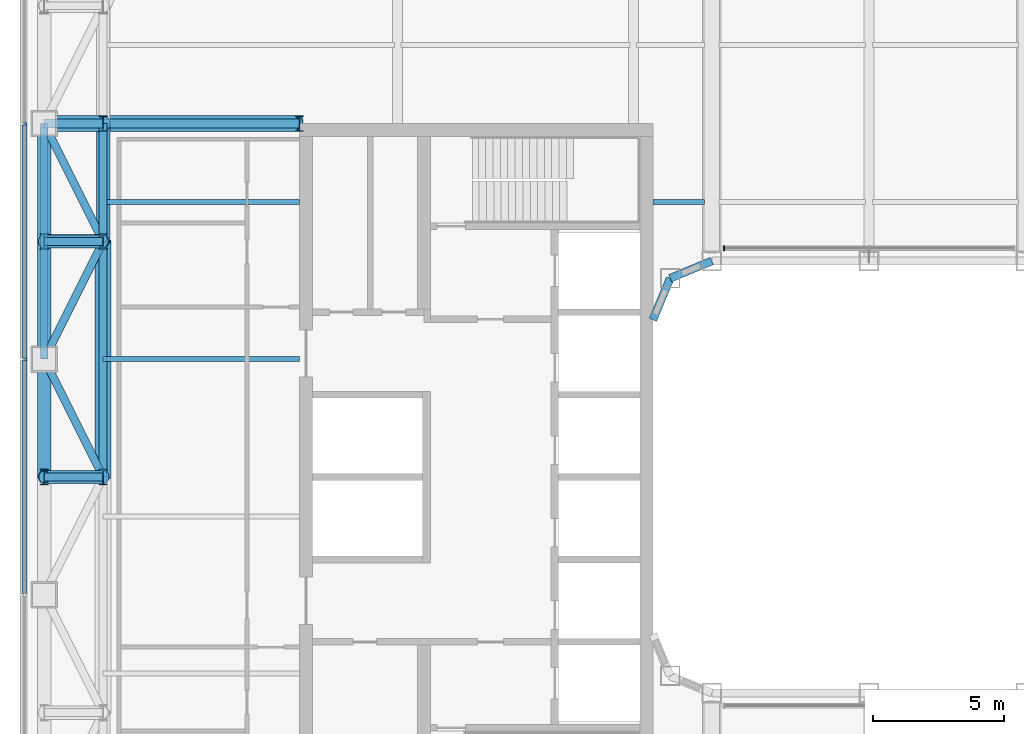
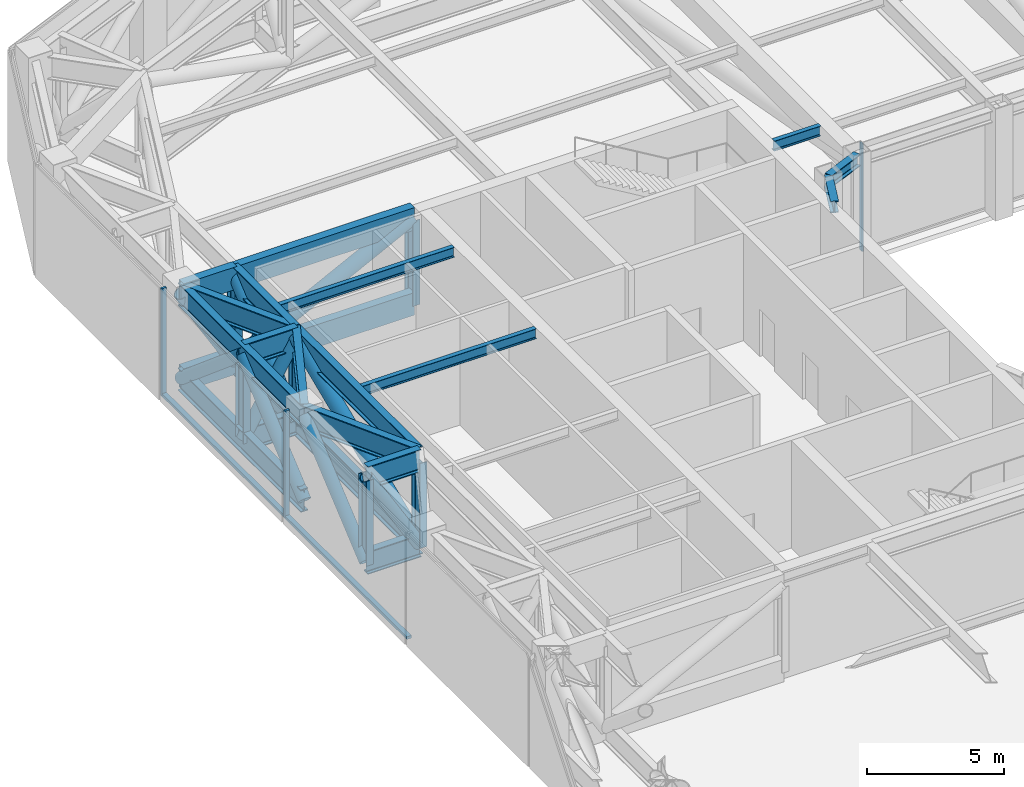
# One storey, part 8 of 33: 22 beams, 20 members, 2 elements without a shape of their own.
"""IFC4 building model written with IfcOpenShell, lengths in metres."""

import ifcopenshell
import ifcopenshell.guid

model = None  # the IFC model being written
_history = None  # IfcOwnerHistory: only IFC2X3 demands one
_inside = {}  # id of a spatial element -> (the spatial element, [elements in it])
_under = {}  # id of a project, library or spatial element -> (it, [spatial elements below it])
_declared = {}  # id of a project -> (the project, [libraries it declares])
_typed = {}  # id of a type object -> (the type object, [elements of that type])
_made_of = {}  # id of a material, layer set ... -> (it, [elements and type objects made of it])


def new_model(schema):
    """Start an empty IFC model of exactly this schema.

    Asked for "IFC4X3", IfcOpenShell would pick the latest addendum, in which some entities
    have other attributes; the version numbers below select the first issue.
    IFC2X3 requires an IfcOwnerHistory on every rooted entity: one is made here for all.
    """
    global model, _history
    if schema == "IFC4X3":
        model = ifcopenshell.file(schema_version=(4, 3, 0, 0))
    else:
        model = ifcopenshell.file(schema=schema)
    _inside.clear()
    _under.clear()
    _declared.clear()
    _typed.clear()
    _made_of.clear()
    _history = None
    if model.schema == "IFC2X3":
        org = make("IfcOrganization", Name="unknown")
        user = make(
            "IfcPersonAndOrganization",
            ThePerson=make("IfcPerson", FamilyName="unknown"),
            TheOrganization=org,
        )
        app = make(
            "IfcApplication",
            ApplicationDeveloper=org,
            Version="unknown",
            ApplicationFullName="unknown",
            ApplicationIdentifier="unknown",
        )
        _history = make(
            "IfcOwnerHistory",
            OwningUser=user,
            OwningApplication=app,
            ChangeAction="ADDED",
            CreationDate=0,
        )
    return model


def make(cls, **values):
    """One entity of the class cls with the attributes given. An attribute that is None is left unset."""
    return model.create_entity(
        cls, **{name: value for name, value in values.items() if value is not None}
    )


def rooted(cls, **values):
    """An entity with a GlobalId (a new one), such as an element, a storey or a relation."""
    return make(cls, GlobalId=ifcopenshell.guid.new(), OwnerHistory=_history, **values)


def si_unit(unit_type, name, prefix=None):
    """IfcSIUnit, for example si_unit("LENGTHUNIT", "METRE", prefix="MILLI")."""
    return make("IfcSIUnit", UnitType=unit_type, Prefix=prefix, Name=name)


def assignment(units):
    """IfcUnitAssignment: the units of a project."""
    return None if units is None else make("IfcUnitAssignment", Units=units)


def point(xyz):
    """IfcCartesianPoint."""
    return None if xyz is None else make("IfcCartesianPoint", Coordinates=xyz)


def direction(xyz):
    """IfcDirection."""
    return None if xyz is None else make("IfcDirection", DirectionRatios=xyz)


def frame(location, z_axis=None, x_axis=None):
    """IfcAxis2Placement3D, a coordinate frame: its origin and axes. An axis left out is left unset."""
    return make(
        "IfcAxis2Placement3D",
        Location=point(location),
        Axis=direction(z_axis),
        RefDirection=direction(x_axis),
    )


def frame_2d(location, x_axis=None):
    """IfcAxis2Placement2D, a coordinate frame in the plane: its origin and x axis."""
    return make(
        "IfcAxis2Placement2D", Location=point(location), RefDirection=direction(x_axis)
    )


def origin():
    """The frame at (0, 0, 0) with its axes left unset."""
    return frame((0.0, 0.0, 0.0))


def origin_2d():
    """The frame at (0, 0) in the plane with its x axis left unset."""
    return frame_2d((0.0, 0.0))


def place(relative_to, where):
    """IfcLocalPlacement: puts the frame where relative to a parent placement (None: the world)."""
    return make(
        "IfcLocalPlacement", PlacementRelTo=relative_to, RelativePlacement=where
    )


def context(
    kind, dimensions, precision=None, world=None, true_north=None, identifier=None
):
    """IfcGeometricRepresentationContext, for example the 3D "Model" context."""
    return make(
        "IfcGeometricRepresentationContext",
        ContextIdentifier=identifier,
        ContextType=kind,
        CoordinateSpaceDimension=dimensions,
        Precision=precision,
        WorldCoordinateSystem=world,
        TrueNorth=true_north,
    )


def subcontext(parent, identifier, kind, view, scale=None):
    """IfcGeometricRepresentationSubContext, for example "Body" below "Model"."""
    return make(
        "IfcGeometricRepresentationSubContext",
        ContextIdentifier=identifier,
        ContextType=kind,
        ParentContext=parent,
        TargetScale=scale,
        TargetView=view,
    )


def project(units=None, contexts=None):
    """IfcProject with its units and contexts."""
    return rooted(
        "IfcProject",
        Name="project",
        RepresentationContexts=contexts,
        UnitsInContext=assignment(units),
    )


def spatial(cls, under=None, at=None, **own):
    """A site, building, storey or space (cls), placed at a placement, below another one or the project."""
    s = rooted(cls, ObjectPlacement=at, **own)
    if under is not None:
        _under.setdefault(under.id(), (under, []))[1].append(s)
    return s


def profile(cls, at=None, kind="AREA", **sizes):
    """A parametric profile (cls). Its sizes go by their IFC names, for example OverallWidth=200.0."""
    return make(cls, ProfileType=kind, Position=at, **sizes)


def rectangle(**sizes):
    """IfcRectangleProfileDef."""
    return profile("IfcRectangleProfileDef", **sizes)


def hollow_rectangle(**sizes):
    """IfcRectangleHollowProfileDef."""
    return profile("IfcRectangleHollowProfileDef", **sizes)


def hollow_circle(**sizes):
    """IfcCircleHollowProfileDef."""
    return profile("IfcCircleHollowProfileDef", **sizes)


def i_section(**sizes):
    """IfcIShapeProfileDef."""
    return profile("IfcIShapeProfileDef", **sizes)


def extrude(swept, where, along, depth):
    """IfcExtrudedAreaSolid: the profile swept, set in the frame where, extruded along a direction by depth."""
    return make(
        "IfcExtrudedAreaSolid",
        SweptArea=swept,
        Position=where,
        ExtrudedDirection=direction(along),
        Depth=depth,
    )


def shape(context_of_items, identifier, shape_type, items):
    """IfcShapeRepresentation: the items that make up one representation, for example the "Body"."""
    return make(
        "IfcShapeRepresentation",
        ContextOfItems=context_of_items,
        RepresentationIdentifier=identifier,
        RepresentationType=shape_type,
        Items=items,
    )


def material(Name=None, Category=None):
    """IfcMaterial."""
    return make("IfcMaterial", Name=Name, Category=Category)


def layer(
    of_material, thickness, ventilated=None, Name=None, Category=None, Priority=None
):
    """IfcMaterialLayer: one layer of a wall or slab, of a material (None: an air gap)."""
    return make(
        "IfcMaterialLayer",
        Material=of_material,
        LayerThickness=thickness,
        IsVentilated=ventilated,
        Name=Name,
        Category=Category,
        Priority=Priority,
    )


def layer_set(layers, Name=None):
    """IfcMaterialLayerSet."""
    return make("IfcMaterialLayerSet", MaterialLayers=layers, LayerSetName=Name)


def material_profile(
    of_material, cross_section, Name=None, Category=None, Priority=None
):
    """IfcMaterialProfile: a cross section and its material."""
    return make(
        "IfcMaterialProfile",
        Name=Name,
        Material=of_material,
        Profile=cross_section,
        Priority=Priority,
        Category=Category,
    )


def profile_set(profiles, Name=None, composite=None):
    """IfcMaterialProfileSet."""
    return make(
        "IfcMaterialProfileSet",
        Name=Name,
        MaterialProfiles=profiles,
        CompositeProfile=composite,
    )


def made_of(thing, what):
    """Note that an element or type object is made of a material, layer set ...; save() writes the relation."""
    if what is not None:
        _made_of.setdefault(what.id(), (what, []))[1].append(thing)
    return thing


def type_object(cls, material=None, **own):
    """A type object (cls), such as IfcWallType, which elements share."""
    return made_of(rooted(cls, **own), material)


def element(
    cls,
    number,
    at=None,
    inside=None,
    cuts=None,
    type_object=None,
    material=None,
    context=None,
    identifier="Body",
    shape_type=None,
    held_by="IfcProductDefinitionShape",
    body=None,
    shapes=None,
    **own,
):
    """One element of the class cls, such as IfcWall. Its Tag is "e" and its number.

    at: its placement. inside: the storey or other place that contains it. cuts: it is an
    opening in that element (IfcRelVoidsElement). A single representation is given by context,
    identifier, shape_type and body (its items); several are given by shapes. held_by: the class
    of the entity that holds the representations. save() writes the other relations.
    """
    e = rooted(cls, Tag="e%d" % number, ObjectPlacement=at, **own)
    if body is not None:
        shapes = [shape(context, identifier, shape_type, body)]
    if shapes is not None:
        e.Representation = make(held_by, Representations=shapes)
    if inside is not None:
        _inside.setdefault(inside.id(), (inside, []))[1].append(e)
    if cuts is not None:
        rooted(
            "IfcRelVoidsElement", RelatingBuildingElement=cuts, RelatedOpeningElement=e
        )
    if type_object is not None:
        _typed.setdefault(type_object.id(), (type_object, []))[1].append(e)
    return made_of(e, material)


def aggregate(whole, parts):
    """IfcRelAggregates: a whole, such as a stair, and the parts it consists of."""
    return rooted("IfcRelAggregates", RelatingObject=whole, RelatedObjects=parts)


def save(model, path):
    """Write the relations noted so far, then the file.

    IfcRelAggregates (storeys below a building ...), IfcRelContainedInSpatialStructure (elements
    in a storey), IfcRelDefinesByType, IfcRelAssociatesMaterial and IfcRelDeclares: one each for
    every whole, place, type object, material and project.
    """
    for whole, parts in _under.values():
        aggregate(whole, parts)
    for where, things in _inside.values():
        rooted(
            "IfcRelContainedInSpatialStructure",
            RelatedElements=things,
            RelatingStructure=where,
        )
    for kind, things in _typed.values():
        rooted("IfcRelDefinesByType", RelatedObjects=things, RelatingType=kind)
    for what, things in _made_of.values():
        rooted("IfcRelAssociatesMaterial", RelatedObjects=things, RelatingMaterial=what)
    for by, libraries in _declared.values():
        rooted("IfcRelDeclares", RelatingContext=by, RelatedDefinitions=libraries)
    model.write(path)


model = new_model("IFC4")

# Units and contexts
model_context = context("Model", 3, precision=1e-05, world=origin(), true_north=direction((0.0, 1.0)))
body_context = subcontext(model_context, "Body", "Model", "MODEL_VIEW")
ifc_project = project(units=[si_unit("LENGTHUNIT", "METRE"), si_unit("AREAUNIT", "SQUARE_METRE"), si_unit("VOLUMEUNIT", "CUBIC_METRE"), si_unit("PLANEANGLEUNIT", "RADIAN"), si_unit("MASSUNIT", "GRAM", prefix="KILO")], contexts=[model_context])

# Site, building, storey
site_placement = place(None, origin())
site = spatial("IfcSite", under=ifc_project, at=site_placement, CompositionType="ELEMENT")
building_placement = place(site_placement, origin())
building = spatial("IfcBuilding", under=site, at=building_placement, Name="Siwar Civic Tower", CompositionType="ELEMENT")
storey_placement = place(building_placement, frame((0.0, 0.0, 94.199951171875)))
storey = spatial("IfcBuildingStorey", under=building, at=storey_placement, Name="L20", CompositionType="ELEMENT", Elevation=94.199951171875)

# Curtain wall, members
ifc_material_1 = material(Name="Aluminium and glass", Category="aluminium")
ifc_layer_1 = layer(ifc_material_1, 0.199951171875)
ifc_layer_set_1 = layer_set([ifc_layer_1], Name="Aluminium and glass")
curtain_wall_type_1 = type_object("IfcCurtainWallType", Name="ENV-CW-P", PredefinedType="NOTDEFINED", material=ifc_layer_set_1)
curtain_wall_1_placement = place(storey_placement, origin())
curtain_wall_1 = element("IfcCurtainWall", 1, at=curtain_wall_1_placement, inside=storey, type_object=curtain_wall_type_1, Name="Curtain wall P W", PredefinedType="NOTDEFINED")
ifc_material_2 = material(Name="Aluminium 6063-T6", Category="aluminium")
ifc_material_profile_1 = material_profile(ifc_material_2, rectangle(XDim=0.199951171875, YDim=0.10009765625, at=origin_2d()), Name="AL 200x100")
ifc_profile_set_1 = profile_set([ifc_material_profile_1], Name="Aluminium 6063-T6")
member_type_1 = type_object("IfcMemberType", Name="ENV-MULLION-P", PredefinedType="MULLION", material=ifc_profile_set_1)
member_1_placement = place(storey_placement, frame((-32.25, 13.5, 0.0), z_axis=(0.0, 0.0, 1.0), x_axis=(1.0, 0.0, 0.0)))
member_1 = element("IfcMember", 2, at=member_1_placement, type_object=member_type_1, Name="Mullion P W 2", PredefinedType="MULLION", context=body_context, shape_type="SweptSolid", body=[
    extrude(rectangle(XDim=0.199951171875, YDim=0.10009765625, at=origin_2d()), origin(), (0.0, 0.0, 1.0), 4.800048828125),
])
member_2_placement = place(storey_placement, frame((-32.25, 4.5, 0.0), z_axis=(0.0, 0.0, 1.0), x_axis=(1.0, 0.0, 0.0)))
member_2 = element("IfcMember", 3, at=member_2_placement, type_object=member_type_1, Name="Mullion P W 3", PredefinedType="MULLION", context=body_context, shape_type="SweptSolid", body=[
    extrude(rectangle(XDim=0.199951171875, YDim=0.10009765625, at=origin_2d()), origin(), (0.0, 0.0, 1.0), 4.800048828125),
])

# Curtain wall, member
ifc_material_3 = material(Name="Aluminium and glass", Category="aluminium")
ifc_layer_2 = layer(ifc_material_3, 0.179931640625)
ifc_layer_set_2 = layer_set([ifc_layer_2], Name="Aluminium and glass")
curtain_wall_type_2 = type_object("IfcCurtainWallType", Name="ENV-CW-W", PredefinedType="NOTDEFINED", material=ifc_layer_set_2)
curtain_wall_2_placement = place(storey_placement, origin())
curtain_wall_2 = element("IfcCurtainWall", 4, at=curtain_wall_2_placement, inside=storey, type_object=curtain_wall_type_2, Name="Curtain wall W WN-00", PredefinedType="NOTDEFINED")
ifc_material_4 = material(Name="Aluminium 6063-T6", Category="aluminium")
ifc_material_profile_2 = material_profile(ifc_material_4, rectangle(XDim=0.179931640625, YDim=0.06005859375, at=origin_2d()), Name="AL 180x60")
ifc_profile_set_2 = profile_set([ifc_material_profile_2], Name="Aluminium 6063-T6")
member_type_2 = type_object("IfcMemberType", Name="ENV-MULLION-W", PredefinedType="MULLION", material=ifc_profile_set_2)
member_3_placement = place(storey_placement, frame((-5.534423828125, 8.735107421875, 0.0), z_axis=(0.0, 0.0, 1.0), x_axis=(0.0, -1.0, 0.0)))
member_3 = element("IfcMember", 5, at=member_3_placement, type_object=member_type_2, Name="Mullion W WN-00 3", PredefinedType="MULLION", context=body_context, shape_type="SweptSolid", body=[
    extrude(rectangle(XDim=0.179931640625, YDim=0.06005859375, at=origin_2d()), origin(), (0.0, 0.0, 1.0), 4.800048828125),
])
aggregate(curtain_wall_2, [member_3])

# Member
ifc_material_5 = material(Name="Aluminium 6063-T6", Category="aluminium")
ifc_material_profile_3 = material_profile(ifc_material_5, rectangle(XDim=0.199951171875, YDim=0.1201171875, at=origin_2d()), Name="AL 200x120")
ifc_profile_set_3 = profile_set([ifc_material_profile_3], Name="Aluminium 6063-T6")
member_type_3 = type_object("IfcMemberType", Name="ENV-TRANSOM-P", PredefinedType="USERDEFINED", material=ifc_profile_set_3)
member_4_placement = place(storey_placement, frame((-32.25, 13.449951171875, 0.06005859375), z_axis=(0.0, -1.0, 0.0), x_axis=(1.0, 0.0, 0.0)))
member_4 = element("IfcMember", 6, at=member_4_placement, type_object=member_type_3, Name="Transom P W 2", ObjectType="TRANSOM", PredefinedType="USERDEFINED", context=body_context, shape_type="SweptSolid", body=[
    extrude(rectangle(XDim=0.199951171875, YDim=0.1201171875, at=origin_2d()), origin(), (0.0, 0.0, 1.0), 8.89990234375),
])

member_5_placement = place(storey_placement, frame((-32.25, 4.449951171875, 0.06005859375), z_axis=(0.0, -1.0, 0.0), x_axis=(1.0, 0.0, 0.0)))
member_5 = element("IfcMember", 7, at=member_5_placement, type_object=member_type_3, Name="Transom P W 3", ObjectType="TRANSOM", PredefinedType="USERDEFINED", context=body_context, shape_type="SweptSolid", body=[
    extrude(rectangle(XDim=0.199951171875, YDim=0.1201171875, at=origin_2d()), origin(), (0.0, 0.0, 1.0), 8.89990234375),
])

aggregate(curtain_wall_1, [member_1, member_2, member_4, member_5])

# Beams
ifc_material_6 = material(Name="Steel S460", Category="steel")
ifc_material_profile_4 = material_profile(ifc_material_6, i_section(OverallWidth=0.302001953125, OverallDepth=1.008056640625, WebThickness=0.02099609375, FlangeThickness=0.0400390625, FilletRadius=0.030029296875, at=origin_2d()), Name="HEM1000")
ifc_profile_set_4 = profile_set([ifc_material_profile_4], Name="Steel S460")
beam_type_1 = type_object("IfcBeamType", Name="STR-BELT-TRUSS-CHORD-HEM1000", PredefinedType="BEAM", material=ifc_profile_set_4)
for number, where, z_axis, x_axis, name in (
    (8, (-29.25, 13.5, 0.504150390625), (0.0, -1.0, 0.0), (1.0, 0.0, 0.0), "Belt truss chord"),
    (9, (-29.25, 13.5, 4.296142578125), (0.0, -1.0, 0.0), (1.0, 0.0, 0.0), "Belt truss chord"),
):
    element("IfcBeam", number, at=place(storey_placement, frame(where, z_axis=z_axis, x_axis=x_axis)), inside=storey, type_object=beam_type_1, Name=name, PredefinedType="BEAM", context=body_context, shape_type="SweptSolid", body=[
        extrude(i_section(OverallWidth=0.302001953125, OverallDepth=1.008056640625, WebThickness=0.02099609375, FlangeThickness=0.0400390625, FilletRadius=0.030029296875, at=origin_2d()), origin(), (0.0, 0.0, 1.0), 4.5),
    ])
for number, where, z_axis, x_axis, name in (
    (10, (-29.25, 9.0, 0.504150390625), (0.0, -1.0, 0.0), (1.0, 0.0, 0.0), "Belt truss chord"),
    (11, (-29.25, 9.0, 4.296142578125), (0.0, -1.0, 0.0), (1.0, 0.0, 0.0), "Belt truss chord"),
    (12, (-31.5, 13.5, 0.504150390625), (0.0, -1.0, 0.0), (1.0, 0.0, 0.0), "Belt truss chord"),
    (13, (-31.5, 13.5, 4.296142578125), (0.0, -1.0, 0.0), (1.0, 0.0, 0.0), "Belt truss chord"),
):
    element("IfcBeam", number, at=place(storey_placement, frame(where, z_axis=z_axis, x_axis=x_axis)), inside=storey, type_object=beam_type_1, Name=name, PredefinedType="BEAM", context=body_context, shape_type="SweptSolid", body=[
        extrude(i_section(OverallWidth=0.302001953125, OverallDepth=1.008056640625, WebThickness=0.02099609375, FlangeThickness=0.0400390625, FilletRadius=0.030029296875, at=origin_2d()), origin(), (0.0, 0.0, 1.0), 9.0),
    ])

# Members
ifc_material_7 = material(Name="Steel S355", Category="steel")
ifc_material_profile_5 = material_profile(ifc_material_7, hollow_circle(Radius=0.25390625, WallThickness=0.02490234375, at=origin_2d()), Name="CHS508x25")
ifc_profile_set_5 = profile_set([ifc_material_profile_5], Name="Steel S355")
member_type_4 = type_object("IfcMemberType", Name="STR-BELT-TRUSS-DIAGONAL-CHS508x25", PredefinedType="BRACE", material=ifc_profile_set_5)
for number, where, z_axis, x_axis, name in (
    (14, (-29.25, 8.99609375, 0.500732421875), (0.0, 0.764699580999, 0.644386957364), (-1.0, 0.0, 0.0), "Belt truss diagonal"),
    (15, (-31.5, 13.50390625, 0.500732421875), (0.0, -0.764699580999, 0.644386957364), (1.0, 0.0, 0.0), "Belt truss diagonal"),
    (16, (-31.5, 4.49609375, 0.500732421875), (0.0, 0.764699580999, 0.644386957364), (-1.0, 0.0, 0.0), "Belt truss diagonal"),
    (17, (-31.5, -0.00390625, 0.500732421875), (0.0, 0.764699580999, 0.644386957364), (-1.0, 0.0, 0.0), "Belt truss diagonal"),
):
    element("IfcMember", number, at=place(storey_placement, frame(where, z_axis=z_axis, x_axis=x_axis)), inside=storey, type_object=member_type_4, Name=name, PredefinedType="BRACE", context=body_context, shape_type="SweptSolid", body=[
        extrude(hollow_circle(Radius=0.25390625, WallThickness=0.02490234375, at=origin_2d()), origin(), (0.0, 0.0, 1.0), 5.894775390625),
    ])
for number, where, z_axis, x_axis, name in (
    (18, (-31.50244140625, 9.0, 0.499755859375), (0.510256630496, 0.0, 0.860022192176), (0.0, 1.0, 0.0), "Belt truss diagonal"),
    (19, (-29.24755859375, 0.0, 0.499755859375), (-0.510256630496, 0.0, 0.860022192176), (0.0, -1.0, 0.0), "Belt truss diagonal"),
):
    element("IfcMember", number, at=place(storey_placement, frame(where, z_axis=z_axis, x_axis=x_axis)), inside=storey, type_object=member_type_4, Name=name, PredefinedType="BRACE", context=body_context, shape_type="SweptSolid", body=[
        extrude(hollow_circle(Radius=0.25390625, WallThickness=0.02490234375, at=origin_2d()), origin(), (0.0, 0.0, 1.0), 4.419189453125),
    ])
ifc_material_8 = material(Name="Steel S355", Category="steel")
ifc_material_profile_6 = material_profile(ifc_material_8, hollow_circle(Radius=0.304931640625, WallThickness=0.030029296875, at=origin_2d()), Name="CHS610x30")
ifc_profile_set_6 = profile_set([ifc_material_profile_6], Name="Steel S355")
member_type_5 = type_object("IfcMemberType", Name="STR-BELT-TRUSS-DIAGONAL-CHS610x30", PredefinedType="BRACE", material=ifc_profile_set_6)
member_6_placement = place(storey_placement, frame((-29.25, -0.004638671875, 0.502197265625), z_axis=(0.0, 0.921543214524, 0.388275808884), x_axis=(-1.0, 0.0, 0.0)))
element("IfcMember", 20, at=member_6_placement, inside=storey, type_object=member_type_5, Name="Belt truss diagonal", PredefinedType="BRACE", context=body_context, shape_type="SweptSolid", body=[
    extrude(hollow_circle(Radius=0.304931640625, WallThickness=0.030029296875, at=origin_2d()), origin(), (0.0, 0.0, 1.0), 9.7763671875),
])

# Beams
ifc_material_9 = material(Name="Steel S460", Category="steel")
ifc_material_profile_7 = material_profile(ifc_material_9, i_section(OverallWidth=0.302001953125, OverallDepth=1.008056640625, WebThickness=0.02099609375, FlangeThickness=0.0400390625, FilletRadius=0.030029296875, at=origin_2d()), Name="HEM1000")
ifc_profile_set_7 = profile_set([ifc_material_profile_7], Name="Steel S460")
beam_type_2 = type_object("IfcBeamType", Name="STR-BELT-TRUSS-LADDER-CHORD-HEM1000", PredefinedType="BEAM", material=ifc_profile_set_7)
for number, where, z_axis, x_axis, name in (
    (21, (-29.25, 9.0, 0.504150390625), (-1.0, 0.0, 0.0), (0.0, -1.0, 0.0), "Belt truss ladder chord"),
    (22, (-29.25, 9.0, 4.296142578125), (-1.0, 0.0, 0.0), (0.0, -1.0, 0.0), "Belt truss ladder chord"),
    (23, (-29.25, 0.0, 0.504150390625), (-1.0, 0.0, 0.0), (0.0, -1.0, 0.0), "Belt truss ladder chord"),
    (24, (-29.25, 0.0, 4.296142578125), (-1.0, 0.0, 0.0), (0.0, -1.0, 0.0), "Belt truss ladder chord"),
):
    element("IfcBeam", number, at=place(storey_placement, frame(where, z_axis=z_axis, x_axis=x_axis)), inside=storey, type_object=beam_type_2, Name=name, PredefinedType="BEAM", context=body_context, shape_type="SweptSolid", body=[
        extrude(i_section(OverallWidth=0.302001953125, OverallDepth=1.008056640625, WebThickness=0.02099609375, FlangeThickness=0.0400390625, FilletRadius=0.030029296875, at=origin_2d()), origin(), (0.0, 0.0, 1.0), 2.25),
    ])

# Members
ifc_material_10 = material(Name="Steel S355", Category="steel")
ifc_material_profile_8 = material_profile(ifc_material_10, i_section(OverallWidth=0.300048828125, OverallDepth=0.60009765625, WebThickness=0.015380859375, FlangeThickness=0.030029296875, FilletRadius=0.027099609375, at=origin_2d()), Name="HEB600")
ifc_profile_set_8 = profile_set([ifc_material_profile_8], Name="Steel S355")
member_type_6 = type_object("IfcMemberType", Name="STR-BELT-TRUSS-POST-HEB600", PredefinedType="POST", material=ifc_profile_set_8)
for number, where, z_axis, x_axis, name in (
    (25, (-31.5, 0.0, 0.504150390625), (0.0, 0.0, 1.0), (1.0, 0.0, 0.0), "Belt truss post"),
    (26, (-31.5, 9.0, 0.504150390625), (0.0, 0.0, 1.0), (1.0, 0.0, 0.0), "Belt truss post"),
    (27, (-29.25, 0.0, 0.504150390625), (0.0, 0.0, 1.0), (1.0, 0.0, 0.0), "Belt truss post"),
    (28, (-29.25, 9.0, 0.504150390625), (0.0, 0.0, 1.0), (1.0, 0.0, 0.0), "Belt truss post"),
    (29, (-29.25, 13.5, 0.504150390625), (0.0, 0.0, 1.0), (1.0, 0.0, 0.0), "Belt truss post"),
):
    element("IfcMember", number, at=place(storey_placement, frame(where, z_axis=z_axis, x_axis=x_axis)), inside=storey, type_object=member_type_6, Name=name, PredefinedType="POST", context=body_context, shape_type="SweptSolid", body=[
        extrude(i_section(OverallWidth=0.300048828125, OverallDepth=0.60009765625, WebThickness=0.015380859375, FlangeThickness=0.030029296875, FilletRadius=0.027099609375, at=origin_2d()), origin(), (0.0, 0.0, 1.0), 3.7919921875),
    ])

# Beams
ifc_material_11 = material(Name="Steel S355", Category="steel")
ifc_material_profile_9 = material_profile(ifc_material_11, i_section(OverallWidth=0.18994140625, OverallDepth=0.449951171875, WebThickness=0.009521484375, FlangeThickness=0.0146484375, FilletRadius=0.02099609375, at=origin_2d()), Name="IPE450")
ifc_profile_set_9 = profile_set([ifc_material_profile_9], Name="Steel S355")
beam_type_3 = type_object("IfcBeamType", Name="STR-FB-IPE450", PredefinedType="JOIST", material=ifc_profile_set_9)
for number, where, z_axis, x_axis, name in (
    (30, (-29.25, 4.5, 4.574951171875), (1.0, 0.0, 0.0), (0.0, 1.0, 0.0), "L20/bm/F029"),
    (31, (-29.25, 10.5, 4.574951171875), (1.0, 0.0, 0.0), (0.0, 1.0, 0.0), "L20/bm/F031"),
):
    element("IfcBeam", number, at=place(storey_placement, frame(where, z_axis=z_axis, x_axis=x_axis)), inside=storey, type_object=beam_type_3, Name=name, PredefinedType="JOIST", context=body_context, shape_type="SweptSolid", body=[
        extrude(i_section(OverallWidth=0.18994140625, OverallDepth=0.449951171875, WebThickness=0.009521484375, FlangeThickness=0.0146484375, FilletRadius=0.02099609375, at=origin_2d()), origin(), (0.0, 0.0, 1.0), 7.5),
    ])
beam_placement = place(storey_placement, frame((-8.25, 10.5, 4.574951171875), z_axis=(1.0, 0.0, 0.0), x_axis=(0.0, 1.0, 0.0)))
element("IfcBeam", 32, at=beam_placement, inside=storey, type_object=beam_type_3, Name="L20/bm/F032", PredefinedType="JOIST", context=body_context, shape_type="SweptSolid", body=[
    extrude(i_section(OverallWidth=0.18994140625, OverallDepth=0.449951171875, WebThickness=0.009521484375, FlangeThickness=0.0146484375, FilletRadius=0.02099609375, at=origin_2d()), origin(), (0.0, 0.0, 1.0), 1.969970703125),
])
ifc_material_12 = material(Name="Steel S460", Category="steel")
ifc_material_profile_10 = material_profile(ifc_material_12, hollow_rectangle(XDim=0.35009765625, YDim=1.008056640625, WallThickness=0.0400390625, at=origin_2d()), Name="BOX1008x350x40")
ifc_profile_set_10 = profile_set([ifc_material_profile_10], Name="Steel S460")
beam_type_4 = type_object("IfcBeamType", Name="STR-OUTRIGGER-TRUSS-CHORD-BOX1008x350x40", PredefinedType="BEAM", material=ifc_profile_set_10)
for number, where, z_axis, x_axis, name in (
    (33, (-31.5, 13.5, 0.504150390625), (1.0, 0.0, 0.0), (0.0, 1.0, 0.0), "Outrigger truss chord"),
    (34, (-31.5, 13.5, 4.296142578125), (1.0, 0.0, 0.0), (0.0, 1.0, 0.0), "Outrigger truss chord"),
):
    element("IfcBeam", number, at=place(storey_placement, frame(where, z_axis=z_axis, x_axis=x_axis)), inside=storey, type_object=beam_type_4, Name=name, PredefinedType="BEAM", context=body_context, shape_type="SweptSolid", body=[
        extrude(hollow_rectangle(XDim=0.35009765625, YDim=1.008056640625, WallThickness=0.0400390625, at=origin_2d()), origin(), (0.0, 0.0, 1.0), 2.25),
    ])
for number, where, z_axis, x_axis, name in (
    (35, (-29.25, 13.5, 0.504150390625), (1.0, 0.0, 0.0), (0.0, 1.0, 0.0), "Outrigger truss chord"),
    (36, (-29.25, 13.5, 4.296142578125), (1.0, 0.0, 0.0), (0.0, 1.0, 0.0), "Outrigger truss chord"),
):
    element("IfcBeam", number, at=place(storey_placement, frame(where, z_axis=z_axis, x_axis=x_axis)), inside=storey, type_object=beam_type_4, Name=name, PredefinedType="BEAM", context=body_context, shape_type="SweptSolid", body=[
        extrude(hollow_rectangle(XDim=0.35009765625, YDim=1.008056640625, WallThickness=0.0400390625, at=origin_2d()), origin(), (0.0, 0.0, 1.0), 7.5),
    ])

# Members
ifc_material_13 = material(Name="Steel S355", Category="steel")
ifc_material_profile_11 = material_profile(ifc_material_13, hollow_circle(Radius=0.304931640625, WallThickness=0.030029296875, at=origin_2d()), Name="CHS610x30")
ifc_profile_set_11 = profile_set([ifc_material_profile_11], Name="Steel S355")
member_type_7 = type_object("IfcMemberType", Name="STR-OUTRIGGER-TRUSS-DIAGONAL-CHS610x30", PredefinedType="BRACE", material=ifc_profile_set_11)
member_7_placement = place(storey_placement, frame((-29.24755859375, 13.5, 0.499755859375), z_axis=(-0.510256630496, 0.0, 0.860022192176), x_axis=(0.0, -1.0, 0.0)))
element("IfcMember", 37, at=member_7_placement, inside=storey, type_object=member_type_7, Name="Outrigger truss diagonal", PredefinedType="BRACE", context=body_context, shape_type="SweptSolid", body=[
    extrude(hollow_circle(Radius=0.304931640625, WallThickness=0.030029296875, at=origin_2d()), origin(), (0.0, 0.0, 1.0), 4.419189453125),
])
member_8_placement = place(storey_placement, frame((-29.25439453125, 13.5, 0.501708984375), z_axis=(0.892410281818, 0.0, 0.451224876205), x_axis=(0.0, 1.0, 0.0)))
element("IfcMember", 38, at=member_8_placement, inside=storey, type_object=member_type_7, Name="Outrigger truss diagonal", PredefinedType="BRACE", context=body_context, shape_type="SweptSolid", body=[
    extrude(hollow_circle(Radius=0.304931640625, WallThickness=0.030029296875, at=origin_2d()), origin(), (0.0, 0.0, 1.0), 8.4140625),
])
ifc_material_14 = material(Name="Steel S355", Category="steel")
ifc_material_profile_12 = material_profile(ifc_material_14, i_section(OverallWidth=0.300048828125, OverallDepth=0.60009765625, WebThickness=0.015380859375, FlangeThickness=0.030029296875, FilletRadius=0.027099609375, at=origin_2d()), Name="HEB600")
ifc_profile_set_12 = profile_set([ifc_material_profile_12], Name="Steel S355")
member_type_8 = type_object("IfcMemberType", Name="STR-OUTRIGGER-TRUSS-POST-HEB600", PredefinedType="POST", material=ifc_profile_set_12)
member_9_placement = place(storey_placement, frame((-21.75, 13.5, 0.504150390625), z_axis=(0.0, 0.0, 1.0), x_axis=(1.0, 0.0, 0.0)))
element("IfcMember", 39, at=member_9_placement, inside=storey, type_object=member_type_8, Name="Outrigger truss post", PredefinedType="POST", context=body_context, shape_type="SweptSolid", body=[
    extrude(i_section(OverallWidth=0.300048828125, OverallDepth=0.60009765625, WebThickness=0.015380859375, FlangeThickness=0.030029296875, FilletRadius=0.027099609375, at=origin_2d()), origin(), (0.0, 0.0, 1.0), 3.7919921875),
])

# Beams
ifc_material_15 = material(Name="Steel S355", Category="steel")
ifc_material_profile_13 = material_profile(ifc_material_15, i_section(OverallWidth=0.305908203125, OverallDepth=0.52392578125, WebThickness=0.02099609375, FlangeThickness=0.0400390625, FilletRadius=0.027099609375, at=origin_2d()), Name="HEM500")
ifc_profile_set_13 = profile_set([ifc_material_profile_13], Name="Steel S355")
beam_type_5 = type_object("IfcBeamType", Name="STR-RB-HEM500", PredefinedType="BEAM", material=ifc_profile_set_13)
for number, where, z_axis, x_axis, name in (
    (40, (-7.591064453125, 7.591064453125, 4.5380859375), (0.923901072997, 0.382631424892, 0.0), (-0.382631424892, 0.923901072997, 0.0), "L20/bm/RN0"),
    (41, (-7.591064453125, 7.591064453125, 4.5380859375), (-0.382631424892, -0.923901072997, 0.0), (0.923901072997, -0.382631424892, 0.0), "L20/bm/RNEW"),
):
    element("IfcBeam", number, at=place(storey_placement, frame(where, z_axis=z_axis, x_axis=x_axis)), inside=storey, type_object=beam_type_5, Name=name, PredefinedType="BEAM", context=body_context, shape_type="SweptSolid", body=[
        extrude(i_section(OverallWidth=0.305908203125, OverallDepth=0.52392578125, WebThickness=0.02099609375, FlangeThickness=0.0400390625, FilletRadius=0.027099609375, at=origin_2d()), origin(), (0.0, 0.0, 1.0), 1.72216796875),
    ])
ifc_material_16 = material(Name="Steel S460", Category="steel")
ifc_material_profile_14 = material_profile(ifc_material_16, i_section(OverallWidth=0.302001953125, OverallDepth=1.008056640625, WebThickness=0.02099609375, FlangeThickness=0.0400390625, FilletRadius=0.030029296875, at=origin_2d()), Name="HEM1000")
ifc_profile_set_14 = profile_set([ifc_material_profile_14], Name="Steel S460")
beam_type_6 = type_object("IfcBeamType", Name="STR-TRANSFER-GIRDER-HEM1000", PredefinedType="BEAM", material=ifc_profile_set_14)
for number, where, z_axis, x_axis, name in (
    (42, (-29.25, 9.0, 4.296142578125), (-0.4472135955, -0.894427191, 0.0), (0.894427191, -0.4472135955, 0.0), "Transfer girder"),
    (43, (-29.25, 9.0, 4.296142578125), (-0.4472135955, 0.894427191, 0.0), (-0.894427191, -0.4472135955, 0.0), "Transfer girder"),
    (44, (-29.25, 0.0, 4.296142578125), (-0.4472135955, 0.894427191, 0.0), (-0.894427191, -0.4472135955, 0.0), "Transfer girder"),
):
    element("IfcBeam", number, at=place(storey_placement, frame(where, z_axis=z_axis, x_axis=x_axis)), inside=storey, type_object=beam_type_6, Name=name, PredefinedType="BEAM", context=body_context, shape_type="SweptSolid", body=[
        extrude(i_section(OverallWidth=0.302001953125, OverallDepth=1.008056640625, WebThickness=0.02099609375, FlangeThickness=0.0400390625, FilletRadius=0.030029296875, at=origin_2d()), origin(), (0.0, 0.0, 1.0), 5.03125),
    ])

save(model, "model.ifc")
